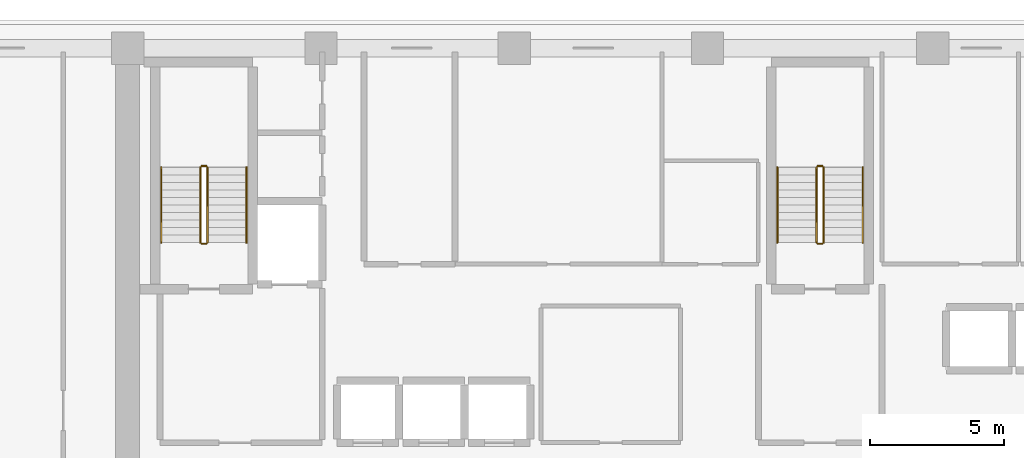
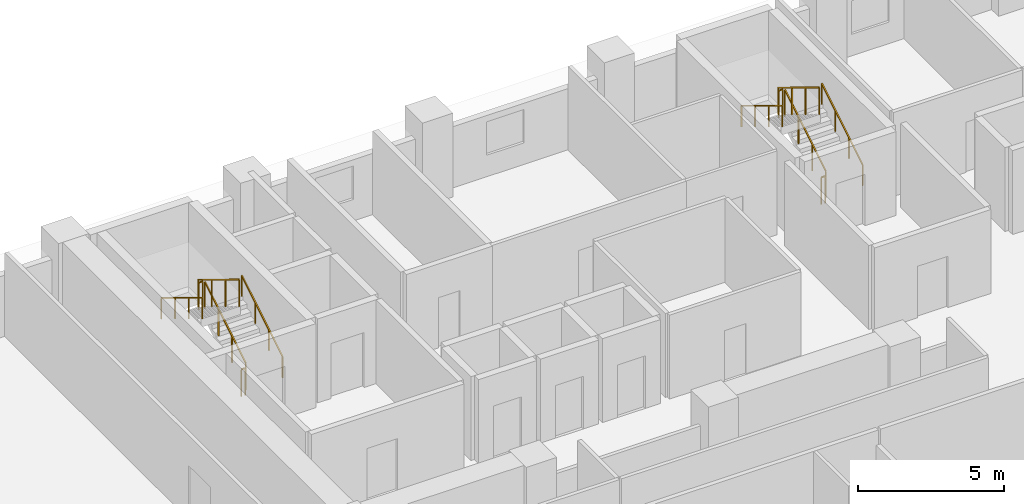
# One storey, part 12 of 14: 12 railings.
"""IFC4 building model written with IfcOpenShell, lengths in metres."""

import ifcopenshell
import ifcopenshell.guid

model = None  # the IFC model being written
_history = None  # IfcOwnerHistory: only IFC2X3 demands one
_inside = {}  # id of a spatial element -> (the spatial element, [elements in it])
_under = {}  # id of a project, library or spatial element -> (it, [spatial elements below it])
_declared = {}  # id of a project -> (the project, [libraries it declares])
_typed = {}  # id of a type object -> (the type object, [elements of that type])
_made_of = {}  # id of a material, layer set ... -> (it, [elements and type objects made of it])


def new_model(schema):
    """Start an empty IFC model of exactly this schema.

    Asked for "IFC4X3", IfcOpenShell would pick the latest addendum, in which some entities
    have other attributes; the version numbers below select the first issue.
    IFC2X3 requires an IfcOwnerHistory on every rooted entity: one is made here for all.
    """
    global model, _history
    if schema == "IFC4X3":
        model = ifcopenshell.file(schema_version=(4, 3, 0, 0))
    else:
        model = ifcopenshell.file(schema=schema)
    _inside.clear()
    _under.clear()
    _declared.clear()
    _typed.clear()
    _made_of.clear()
    _history = None
    if model.schema == "IFC2X3":
        org = make("IfcOrganization", Name="unknown")
        user = make(
            "IfcPersonAndOrganization",
            ThePerson=make("IfcPerson", FamilyName="unknown"),
            TheOrganization=org,
        )
        app = make(
            "IfcApplication",
            ApplicationDeveloper=org,
            Version="unknown",
            ApplicationFullName="unknown",
            ApplicationIdentifier="unknown",
        )
        _history = make(
            "IfcOwnerHistory",
            OwningUser=user,
            OwningApplication=app,
            ChangeAction="ADDED",
            CreationDate=0,
        )
    return model


def make(cls, **values):
    """One entity of the class cls with the attributes given. An attribute that is None is left unset."""
    return model.create_entity(
        cls, **{name: value for name, value in values.items() if value is not None}
    )


def rooted(cls, **values):
    """An entity with a GlobalId (a new one), such as an element, a storey or a relation."""
    return make(cls, GlobalId=ifcopenshell.guid.new(), OwnerHistory=_history, **values)


def si_unit(unit_type, name, prefix=None):
    """IfcSIUnit, for example si_unit("LENGTHUNIT", "METRE", prefix="MILLI")."""
    return make("IfcSIUnit", UnitType=unit_type, Prefix=prefix, Name=name)


def assignment(units):
    """IfcUnitAssignment: the units of a project."""
    return None if units is None else make("IfcUnitAssignment", Units=units)


def point(xyz):
    """IfcCartesianPoint."""
    return None if xyz is None else make("IfcCartesianPoint", Coordinates=xyz)


def direction(xyz):
    """IfcDirection."""
    return None if xyz is None else make("IfcDirection", DirectionRatios=xyz)


def frame(location, z_axis=None, x_axis=None):
    """IfcAxis2Placement3D, a coordinate frame: its origin and axes. An axis left out is left unset."""
    return make(
        "IfcAxis2Placement3D",
        Location=point(location),
        Axis=direction(z_axis),
        RefDirection=direction(x_axis),
    )


def frame_2d(location, x_axis=None):
    """IfcAxis2Placement2D, a coordinate frame in the plane: its origin and x axis."""
    return make(
        "IfcAxis2Placement2D", Location=point(location), RefDirection=direction(x_axis)
    )


def origin():
    """The frame at (0, 0, 0) with its axes left unset."""
    return frame((0.0, 0.0, 0.0))


def origin_2d():
    """The frame at (0, 0) in the plane with its x axis left unset."""
    return frame_2d((0.0, 0.0))


def place(relative_to, where):
    """IfcLocalPlacement: puts the frame where relative to a parent placement (None: the world)."""
    return make(
        "IfcLocalPlacement", PlacementRelTo=relative_to, RelativePlacement=where
    )


def context(
    kind, dimensions, precision=None, world=None, true_north=None, identifier=None
):
    """IfcGeometricRepresentationContext, for example the 3D "Model" context."""
    return make(
        "IfcGeometricRepresentationContext",
        ContextIdentifier=identifier,
        ContextType=kind,
        CoordinateSpaceDimension=dimensions,
        Precision=precision,
        WorldCoordinateSystem=world,
        TrueNorth=true_north,
    )


def subcontext(parent, identifier, kind, view, scale=None):
    """IfcGeometricRepresentationSubContext, for example "Body" below "Model"."""
    return make(
        "IfcGeometricRepresentationSubContext",
        ContextIdentifier=identifier,
        ContextType=kind,
        ParentContext=parent,
        TargetScale=scale,
        TargetView=view,
    )


def project(units=None, contexts=None):
    """IfcProject with its units and contexts."""
    return rooted(
        "IfcProject",
        Name="project",
        RepresentationContexts=contexts,
        UnitsInContext=assignment(units),
    )


def spatial(cls, under=None, at=None, **own):
    """A site, building, storey or space (cls), placed at a placement, below another one or the project."""
    s = rooted(cls, ObjectPlacement=at, **own)
    if under is not None:
        _under.setdefault(under.id(), (under, []))[1].append(s)
    return s


def profile(cls, at=None, kind="AREA", **sizes):
    """A parametric profile (cls). Its sizes go by their IFC names, for example OverallWidth=200.0."""
    return make(cls, ProfileType=kind, Position=at, **sizes)


def rectangle(**sizes):
    """IfcRectangleProfileDef."""
    return profile("IfcRectangleProfileDef", **sizes)


def extrude(swept, where, along, depth):
    """IfcExtrudedAreaSolid: the profile swept, set in the frame where, extruded along a direction by depth."""
    return make(
        "IfcExtrudedAreaSolid",
        SweptArea=swept,
        Position=where,
        ExtrudedDirection=direction(along),
        Depth=depth,
    )


def shape(context_of_items, identifier, shape_type, items):
    """IfcShapeRepresentation: the items that make up one representation, for example the "Body"."""
    return make(
        "IfcShapeRepresentation",
        ContextOfItems=context_of_items,
        RepresentationIdentifier=identifier,
        RepresentationType=shape_type,
        Items=items,
    )


def material(Name=None, Category=None):
    """IfcMaterial."""
    return make("IfcMaterial", Name=Name, Category=Category)


def made_of(thing, what):
    """Note that an element or type object is made of a material, layer set ...; save() writes the relation."""
    if what is not None:
        _made_of.setdefault(what.id(), (what, []))[1].append(thing)
    return thing


def type_object(cls, material=None, **own):
    """A type object (cls), such as IfcWallType, which elements share."""
    return made_of(rooted(cls, **own), material)


def element(
    cls,
    number,
    at=None,
    inside=None,
    cuts=None,
    type_object=None,
    material=None,
    context=None,
    identifier="Body",
    shape_type=None,
    held_by="IfcProductDefinitionShape",
    body=None,
    shapes=None,
    **own,
):
    """One element of the class cls, such as IfcWall. Its Tag is "e" and its number.

    at: its placement. inside: the storey or other place that contains it. cuts: it is an
    opening in that element (IfcRelVoidsElement). A single representation is given by context,
    identifier, shape_type and body (its items); several are given by shapes. held_by: the class
    of the entity that holds the representations. save() writes the other relations.
    """
    e = rooted(cls, Tag="e%d" % number, ObjectPlacement=at, **own)
    if body is not None:
        shapes = [shape(context, identifier, shape_type, body)]
    if shapes is not None:
        e.Representation = make(held_by, Representations=shapes)
    if inside is not None:
        _inside.setdefault(inside.id(), (inside, []))[1].append(e)
    if cuts is not None:
        rooted(
            "IfcRelVoidsElement", RelatingBuildingElement=cuts, RelatedOpeningElement=e
        )
    if type_object is not None:
        _typed.setdefault(type_object.id(), (type_object, []))[1].append(e)
    return made_of(e, material)


def aggregate(whole, parts):
    """IfcRelAggregates: a whole, such as a stair, and the parts it consists of."""
    return rooted("IfcRelAggregates", RelatingObject=whole, RelatedObjects=parts)


def save(model, path):
    """Write the relations noted so far, then the file.

    IfcRelAggregates (storeys below a building ...), IfcRelContainedInSpatialStructure (elements
    in a storey), IfcRelDefinesByType, IfcRelAssociatesMaterial and IfcRelDeclares: one each for
    every whole, place, type object, material and project.
    """
    for whole, parts in _under.values():
        aggregate(whole, parts)
    for where, things in _inside.values():
        rooted(
            "IfcRelContainedInSpatialStructure",
            RelatedElements=things,
            RelatingStructure=where,
        )
    for kind, things in _typed.values():
        rooted("IfcRelDefinesByType", RelatedObjects=things, RelatingType=kind)
    for what, things in _made_of.values():
        rooted("IfcRelAssociatesMaterial", RelatedObjects=things, RelatingMaterial=what)
    for by, libraries in _declared.values():
        rooted("IfcRelDeclares", RelatingContext=by, RelatedDefinitions=libraries)
    model.write(path)


model = new_model("IFC4")

# Units and contexts
model_context = context("Model", 3, precision=1e-05, world=origin(), true_north=direction((0.0, 1.0)))
body_context = subcontext(model_context, "Body", "Model", "MODEL_VIEW")
ifc_project = project(units=[si_unit("LENGTHUNIT", "METRE"), si_unit("AREAUNIT", "SQUARE_METRE"), si_unit("VOLUMEUNIT", "CUBIC_METRE"), si_unit("PLANEANGLEUNIT", "RADIAN"), si_unit("MASSUNIT", "GRAM", prefix="KILO")], contexts=[model_context])

# Site, building, storey
site_placement = place(None, origin())
site = spatial("IfcSite", under=ifc_project, at=site_placement, CompositionType="ELEMENT")
building_placement = place(site_placement, origin())
building = spatial("IfcBuilding", under=site, at=building_placement, Name="Kaelvorn Grand Hotel", CompositionType="ELEMENT")
storey_placement = place(building_placement, frame((0.0, 0.0, 119.300048828125)))
storey = spatial("IfcBuildingStorey", under=building, at=storey_placement, Name="L28", CompositionType="ELEMENT", Elevation=119.300048828125)

# Railings
ifc_material = material(Name="Stainless Steel", Category="steel")
railing_type_1 = type_object("IfcRailingType", Name="RL-HANDRAIL-900", PredefinedType="HANDRAIL", material=ifc_material)
railing_1_placement = place(storey_placement, frame((20.6298828125, 41.760009765625, 0.17041015625)))
element("IfcRailing", 1, at=railing_1_placement, inside=storey, type_object=railing_type_1, Name="L28 ST1 stair handrail 1", PredefinedType="HANDRAIL", context=body_context, shape_type="SweptSolid", body=[
    extrude(rectangle(XDim=0.048095703125, YDim=0.048095703125, at=origin_2d()), frame((0.0, 0.0, 0.8759765625), z_axis=(0.0, 0.854169791009, 0.51999420009), x_axis=(-1.0, 0.0, 0.0)), (0.0, 0.0, 1.0), 3.278076171875),
    extrude(rectangle(XDim=0.0419921875, YDim=0.0419921875, at=origin_2d()), origin(), (0.0, 0.0, 1.0), 0.851806640625),
    extrude(rectangle(XDim=0.0419921875, YDim=0.0419921875, at=origin_2d()), frame((0.0, 0.933349609375, 0.568115234375)), (0.0, 0.0, 1.0), 0.851806640625),
    extrude(rectangle(XDim=0.0419921875, YDim=0.0419921875, at=origin_2d()), frame((0.0, 1.86669921875, 1.136474609375)), (0.0, 0.0, 1.0), 0.851806640625),
    extrude(rectangle(XDim=0.0419921875, YDim=0.0419921875, at=origin_2d()), frame((0.0, 2.800048828125, 1.70458984375)), (0.0, 0.0, 1.0), 0.851806640625),
])
railing_2_placement = place(storey_placement, frame((17.449951171875, 44.56005859375, 2.04541015625)))
element("IfcRailing", 2, at=railing_2_placement, inside=storey, type_object=railing_type_1, Name="L28 ST1 stair handrail 2", PredefinedType="HANDRAIL", context=body_context, shape_type="SweptSolid", body=[
    extrude(rectangle(XDim=0.048095703125, YDim=0.048095703125, at=origin_2d()), frame((0.0, 0.0, 0.8759765625), z_axis=(0.0, -0.854169791009, 0.51999420009), x_axis=(1.0, 0.0, 0.0)), (0.0, 0.0, 1.0), 3.278076171875),
    extrude(rectangle(XDim=0.0419921875, YDim=0.0419921875, at=origin_2d()), origin(), (0.0, 0.0, 1.0), 0.851806640625),
    extrude(rectangle(XDim=0.0419921875, YDim=0.0419921875, at=origin_2d()), frame((0.0, -0.933349609375, 0.568115234375)), (0.0, 0.0, 1.0), 0.851806640625),
    extrude(rectangle(XDim=0.0419921875, YDim=0.0419921875, at=origin_2d()), frame((0.0, -1.86669921875, 1.136474609375)), (0.0, 0.0, 1.0), 0.851806640625),
    extrude(rectangle(XDim=0.0419921875, YDim=0.0419921875, at=origin_2d()), frame((0.0, -2.800048828125, 1.70458984375)), (0.0, 0.0, 1.0), 0.851806640625),
])
railing_3_placement = place(storey_placement, frame((43.590087890625, 41.760009765625, 0.17041015625)))
element("IfcRailing", 3, at=railing_3_placement, inside=storey, type_object=railing_type_1, Name="L28 ST2 stair handrail 1", PredefinedType="HANDRAIL", context=body_context, shape_type="SweptSolid", body=[
    extrude(rectangle(XDim=0.048095703125, YDim=0.048095703125, at=origin_2d()), frame((0.0, 0.0, 0.8759765625), z_axis=(0.0, 0.854169791009, 0.51999420009), x_axis=(-1.0, 0.0, 0.0)), (0.0, 0.0, 1.0), 3.278076171875),
    extrude(rectangle(XDim=0.0419921875, YDim=0.0419921875, at=origin_2d()), origin(), (0.0, 0.0, 1.0), 0.851806640625),
    extrude(rectangle(XDim=0.0419921875, YDim=0.0419921875, at=origin_2d()), frame((0.0, 0.933349609375, 0.568115234375)), (0.0, 0.0, 1.0), 0.851806640625),
    extrude(rectangle(XDim=0.0419921875, YDim=0.0419921875, at=origin_2d()), frame((0.0, 1.86669921875, 1.136474609375)), (0.0, 0.0, 1.0), 0.851806640625),
    extrude(rectangle(XDim=0.0419921875, YDim=0.0419921875, at=origin_2d()), frame((0.0, 2.800048828125, 1.70458984375)), (0.0, 0.0, 1.0), 0.851806640625),
])
railing_4_placement = place(storey_placement, frame((40.409912109375, 44.56005859375, 2.04541015625)))
element("IfcRailing", 4, at=railing_4_placement, inside=storey, type_object=railing_type_1, Name="L28 ST2 stair handrail 2", PredefinedType="HANDRAIL", context=body_context, shape_type="SweptSolid", body=[
    extrude(rectangle(XDim=0.048095703125, YDim=0.048095703125, at=origin_2d()), frame((0.0, 0.0, 0.8759765625), z_axis=(0.0, -0.854169791009, 0.51999420009), x_axis=(1.0, 0.0, 0.0)), (0.0, 0.0, 1.0), 3.278076171875),
    extrude(rectangle(XDim=0.0419921875, YDim=0.0419921875, at=origin_2d()), origin(), (0.0, 0.0, 1.0), 0.851806640625),
    extrude(rectangle(XDim=0.0419921875, YDim=0.0419921875, at=origin_2d()), frame((0.0, -0.933349609375, 0.568115234375)), (0.0, 0.0, 1.0), 0.851806640625),
    extrude(rectangle(XDim=0.0419921875, YDim=0.0419921875, at=origin_2d()), frame((0.0, -1.86669921875, 1.136474609375)), (0.0, 0.0, 1.0), 0.851806640625),
    extrude(rectangle(XDim=0.0419921875, YDim=0.0419921875, at=origin_2d()), frame((0.0, -2.800048828125, 1.70458984375)), (0.0, 0.0, 1.0), 0.851806640625),
])
railing_type_2 = type_object("IfcRailingType", Name="RL-STAIR-GUARD-1150", PredefinedType="BALUSTRADE", material=ifc_material)
railing_5_placement = place(storey_placement, frame((19.169921875, 41.760009765625, 0.17041015625)))
element("IfcRailing", 5, at=railing_5_placement, inside=storey, type_object=railing_type_2, Name="L28 ST1 stair guard 1", PredefinedType="BALUSTRADE", context=body_context, shape_type="SweptSolid", body=[
    extrude(rectangle(XDim=0.048095703125, YDim=0.048095703125, at=origin_2d()), frame((0.0, 0.0, 1.1259765625), z_axis=(0.0, 0.854169791009, 0.51999420009), x_axis=(-1.0, 0.0, 0.0)), (0.0, 0.0, 1.0), 3.278076171875),
    extrude(rectangle(XDim=0.0419921875, YDim=0.0419921875, at=origin_2d()), origin(), (0.0, 0.0, 1.0), 1.101806640625),
    extrude(rectangle(XDim=0.0419921875, YDim=0.0419921875, at=origin_2d()), frame((0.0, 0.933349609375, 0.568115234375)), (0.0, 0.0, 1.0), 1.101806640625),
    extrude(rectangle(XDim=0.0419921875, YDim=0.0419921875, at=origin_2d()), frame((0.0, 1.86669921875, 1.136474609375)), (0.0, 0.0, 1.0), 1.101806640625),
    extrude(rectangle(XDim=0.0419921875, YDim=0.0419921875, at=origin_2d()), frame((0.0, 2.800048828125, 1.70458984375)), (0.0, 0.0, 1.0), 1.101806640625),
])
railing_6_placement = place(storey_placement, frame((19.1201171875, 44.610107421875, 1.875)))
element("IfcRailing", 6, at=railing_6_placement, inside=storey, type_object=railing_type_2, Name="L28 ST1 stair guard 2", PredefinedType="BALUSTRADE", context=body_context, shape_type="SweptSolid", body=[
    extrude(rectangle(XDim=0.048095703125, YDim=0.048095703125, at=origin_2d()), frame((0.0, 0.0, 1.1259765625), z_axis=(-1.0, 0.0, 0.0), x_axis=(0.0, -1.0, 0.0)), (0.0, 0.0, 1.0), 0.16015625),
    extrude(rectangle(XDim=0.0419921875, YDim=0.0419921875, at=origin_2d()), origin(), (0.0, 0.0, 1.0), 1.101806640625),
    extrude(rectangle(XDim=0.0419921875, YDim=0.0419921875, at=origin_2d()), frame((-0.16015625, 0.0, 0.0)), (0.0, 0.0, 1.0), 1.101806640625),
])
railing_7_placement = place(storey_placement, frame((18.909912109375, 44.56005859375, 2.04541015625)))
element("IfcRailing", 7, at=railing_7_placement, inside=storey, type_object=railing_type_2, Name="L28 ST1 stair guard 3", PredefinedType="BALUSTRADE", context=body_context, shape_type="SweptSolid", body=[
    extrude(rectangle(XDim=0.048095703125, YDim=0.048095703125, at=origin_2d()), frame((0.0, 0.0, 1.1259765625), z_axis=(0.0, -0.854169791009, 0.51999420009), x_axis=(1.0, 0.0, 0.0)), (0.0, 0.0, 1.0), 3.278076171875),
    extrude(rectangle(XDim=0.0419921875, YDim=0.0419921875, at=origin_2d()), origin(), (0.0, 0.0, 1.0), 1.101806640625),
    extrude(rectangle(XDim=0.0419921875, YDim=0.0419921875, at=origin_2d()), frame((0.0, -0.933349609375, 0.568115234375)), (0.0, 0.0, 1.0), 1.101806640625),
    extrude(rectangle(XDim=0.0419921875, YDim=0.0419921875, at=origin_2d()), frame((0.0, -1.86669921875, 1.136474609375)), (0.0, 0.0, 1.0), 1.101806640625),
    extrude(rectangle(XDim=0.0419921875, YDim=0.0419921875, at=origin_2d()), frame((0.0, -2.800048828125, 1.70458984375)), (0.0, 0.0, 1.0), 1.101806640625),
])
railing_8_placement = place(storey_placement, frame((19.1201171875, 41.7099609375, 0.0)))
element("IfcRailing", 8, at=railing_8_placement, inside=storey, type_object=railing_type_2, Name="L28 ST1 stair guard 4", PredefinedType="BALUSTRADE", context=body_context, shape_type="SweptSolid", body=[
    extrude(rectangle(XDim=0.048095703125, YDim=0.048095703125, at=origin_2d()), frame((0.0, 0.0, 1.1259765625), z_axis=(-1.0, 0.0, 0.0), x_axis=(0.0, -1.0, 0.0)), (0.0, 0.0, 1.0), 0.16015625),
    extrude(rectangle(XDim=0.0419921875, YDim=0.0419921875, at=origin_2d()), origin(), (0.0, 0.0, 1.0), 1.101806640625),
    extrude(rectangle(XDim=0.0419921875, YDim=0.0419921875, at=origin_2d()), frame((-0.16015625, 0.0, 0.0)), (0.0, 0.0, 1.0), 1.101806640625),
])
railing_9_placement = place(storey_placement, frame((42.1298828125, 41.760009765625, 0.17041015625)))
element("IfcRailing", 9, at=railing_9_placement, inside=storey, type_object=railing_type_2, Name="L28 ST2 stair guard 1", PredefinedType="BALUSTRADE", context=body_context, shape_type="SweptSolid", body=[
    extrude(rectangle(XDim=0.048095703125, YDim=0.048095703125, at=origin_2d()), frame((0.0, 0.0, 1.1259765625), z_axis=(0.0, 0.854169791009, 0.51999420009), x_axis=(-1.0, 0.0, 0.0)), (0.0, 0.0, 1.0), 3.278076171875),
    extrude(rectangle(XDim=0.0419921875, YDim=0.0419921875, at=origin_2d()), origin(), (0.0, 0.0, 1.0), 1.101806640625),
    extrude(rectangle(XDim=0.0419921875, YDim=0.0419921875, at=origin_2d()), frame((0.0, 0.933349609375, 0.568115234375)), (0.0, 0.0, 1.0), 1.101806640625),
    extrude(rectangle(XDim=0.0419921875, YDim=0.0419921875, at=origin_2d()), frame((0.0, 1.86669921875, 1.136474609375)), (0.0, 0.0, 1.0), 1.101806640625),
    extrude(rectangle(XDim=0.0419921875, YDim=0.0419921875, at=origin_2d()), frame((0.0, 2.800048828125, 1.70458984375)), (0.0, 0.0, 1.0), 1.101806640625),
])
railing_10_placement = place(storey_placement, frame((42.080078125, 44.610107421875, 1.875)))
element("IfcRailing", 10, at=railing_10_placement, inside=storey, type_object=railing_type_2, Name="L28 ST2 stair guard 2", PredefinedType="BALUSTRADE", context=body_context, shape_type="SweptSolid", body=[
    extrude(rectangle(XDim=0.048095703125, YDim=0.048095703125, at=origin_2d()), frame((0.0, 0.0, 1.1259765625), z_axis=(-1.0, 0.0, 0.0), x_axis=(0.0, -1.0, 0.0)), (0.0, 0.0, 1.0), 0.16015625),
    extrude(rectangle(XDim=0.0419921875, YDim=0.0419921875, at=origin_2d()), origin(), (0.0, 0.0, 1.0), 1.101806640625),
    extrude(rectangle(XDim=0.0419921875, YDim=0.0419921875, at=origin_2d()), frame((-0.16015625, 0.0, 0.0)), (0.0, 0.0, 1.0), 1.101806640625),
])
railing_11_placement = place(storey_placement, frame((41.8701171875, 44.56005859375, 2.04541015625)))
element("IfcRailing", 11, at=railing_11_placement, inside=storey, type_object=railing_type_2, Name="L28 ST2 stair guard 3", PredefinedType="BALUSTRADE", context=body_context, shape_type="SweptSolid", body=[
    extrude(rectangle(XDim=0.048095703125, YDim=0.048095703125, at=origin_2d()), frame((0.0, 0.0, 1.1259765625), z_axis=(0.0, -0.854169791009, 0.51999420009), x_axis=(1.0, 0.0, 0.0)), (0.0, 0.0, 1.0), 3.278076171875),
    extrude(rectangle(XDim=0.0419921875, YDim=0.0419921875, at=origin_2d()), origin(), (0.0, 0.0, 1.0), 1.101806640625),
    extrude(rectangle(XDim=0.0419921875, YDim=0.0419921875, at=origin_2d()), frame((0.0, -0.933349609375, 0.568115234375)), (0.0, 0.0, 1.0), 1.101806640625),
    extrude(rectangle(XDim=0.0419921875, YDim=0.0419921875, at=origin_2d()), frame((0.0, -1.86669921875, 1.136474609375)), (0.0, 0.0, 1.0), 1.101806640625),
    extrude(rectangle(XDim=0.0419921875, YDim=0.0419921875, at=origin_2d()), frame((0.0, -2.800048828125, 1.70458984375)), (0.0, 0.0, 1.0), 1.101806640625),
])
railing_12_placement = place(storey_placement, frame((42.080078125, 41.7099609375, 0.0)))
element("IfcRailing", 12, at=railing_12_placement, inside=storey, type_object=railing_type_2, Name="L28 ST2 stair guard 4", PredefinedType="BALUSTRADE", context=body_context, shape_type="SweptSolid", body=[
    extrude(rectangle(XDim=0.048095703125, YDim=0.048095703125, at=origin_2d()), frame((0.0, 0.0, 1.1259765625), z_axis=(-1.0, 0.0, 0.0), x_axis=(0.0, -1.0, 0.0)), (0.0, 0.0, 1.0), 0.16015625),
    extrude(rectangle(XDim=0.0419921875, YDim=0.0419921875, at=origin_2d()), origin(), (0.0, 0.0, 1.0), 1.101806640625),
    extrude(rectangle(XDim=0.0419921875, YDim=0.0419921875, at=origin_2d()), frame((-0.16015625, 0.0, 0.0)), (0.0, 0.0, 1.0), 1.101806640625),
])

save(model, "model.ifc")
